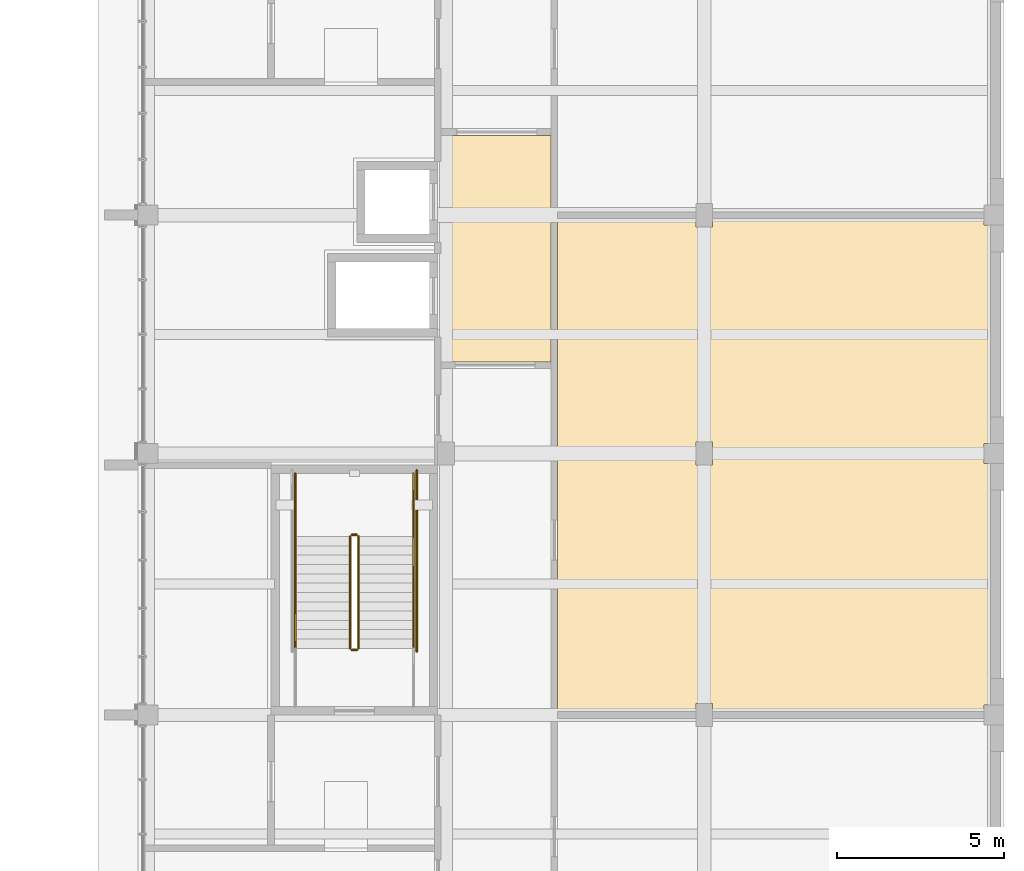
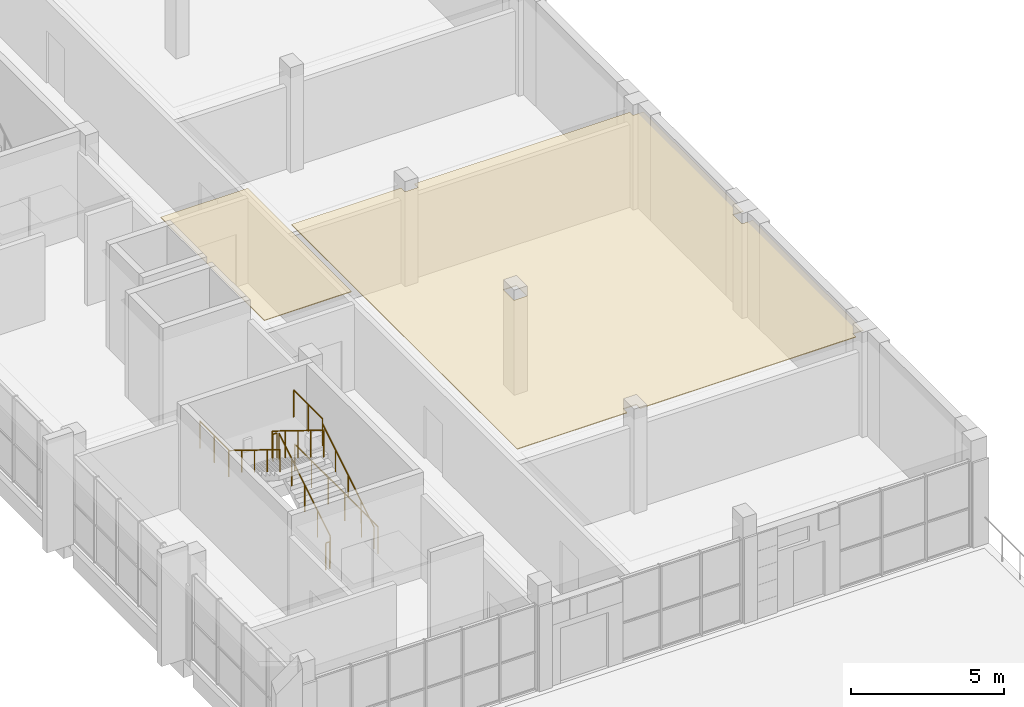
# One storey, part 39 of 42: 9 railings, 2 coverings.
"""IFC4 building model written with IfcOpenShell, lengths in metres."""

from ifc_helpers import new_model, si_unit, direction, frame, origin, origin_2d, place, context, subcontext, project, spatial, polyline, circle, outline, extrude, material, layer, layer_set, type_object, element, save


model = new_model("IFC4")

# Units and contexts
model_context = context("Model", 3, precision=1e-05, world=origin(), true_north=direction((0.0, 1.0)))
body_context = subcontext(model_context, "Body", "Model", "MODEL_VIEW")
ifc_project = project(units=[si_unit("LENGTHUNIT", "METRE"), si_unit("AREAUNIT", "SQUARE_METRE"), si_unit("VOLUMEUNIT", "CUBIC_METRE"), si_unit("PLANEANGLEUNIT", "RADIAN"), si_unit("MASSUNIT", "GRAM", prefix="KILO")], contexts=[model_context])

# Site, building, storey
site_placement = place(None, origin())
site = spatial("IfcSite", under=ifc_project, at=site_placement, CompositionType="ELEMENT")
building_placement = place(site_placement, origin())
building = spatial("IfcBuilding", under=site, at=building_placement, Name="Sun Court Science Centre", CompositionType="ELEMENT")
storey_placement = place(building_placement, frame((0.0, 0.0, 20.25)))
storey = spatial("IfcBuildingStorey", under=building, at=storey_placement, Name="L04", CompositionType="ELEMENT", Elevation=20.25)

# Coverings
ifc_material_1 = material(Name="Gypsum board")
ifc_layer = layer(ifc_material_1, 0.030029296875)
ifc_layer_set = layer_set([ifc_layer], Name="Gypsum board")
covering_type = type_object("IfcCoveringType", Name="Ceiling suspended 600 module", PredefinedType="CEILING", material=ifc_layer_set)
covering_1_placement = place(storey_placement, frame((0.0, 0.0, 3.77001953125)))
element("IfcCovering", 1, at=covering_1_placement, inside=storey, type_object=covering_type, Name="L04-008 ceiling", PredefinedType="CEILING", context=body_context, shape_type="SweptSolid", body=[
    extrude(outline(polyline([(90.39990234375, 46.60009765625), (87.10009765625, 46.60009765625), (87.10009765625, 50.08740234375), (87.1025390625, 50.08740234375), (87.1025390625, 52.71240234375), (87.10009765625, 52.71240234375), (87.10009765625, 53.39990234375), (90.39990234375, 53.39990234375), (90.39990234375, 46.60009765625)])), origin(), (0.0, 0.0, 1.0), 0.030029296875),
])
covering_2_placement = place(storey_placement, frame((0.0, 0.0, 3.77001953125)))
element("IfcCovering", 2, at=covering_2_placement, inside=storey, type_object=covering_type, Name="L04-019 ceiling", PredefinedType="CEILING", context=body_context, shape_type="SweptSolid", body=[
    extrude(outline(polyline([(95.25, 36.10009765625), (95.25, 36.35009765625), (94.75, 36.35009765625), (94.75, 36.10009765625), (90.60009765625, 36.10009765625), (90.60009765625, 50.89990234375), (94.75, 50.89990234375), (94.75, 50.64990234375), (95.25, 50.64990234375), (95.25, 50.89990234375), (103.39990234375, 50.89990234375), (103.39990234375, 50.699951171875), (103.800048828125, 50.699951171875), (103.800048828125, 44.14990234375), (103.39990234375, 44.14990234375), (103.39990234375, 43.550048828125), (103.800048828125, 43.550048828125), (103.800048828125, 36.300048828125), (103.39990234375, 36.300048828125), (103.39990234375, 36.10009765625), (95.25, 36.10009765625)]), holes=[polyline([(95.25, 44.199951171875), (94.75, 44.199951171875), (94.75, 43.5), (95.25, 43.5), (95.25, 44.199951171875)])]), origin(), (0.0, 0.0, 1.0), 0.030029296875),
])

# Railings
ifc_material_2 = material(Name="Steel S275", Category="steel")
railing_type_1 = type_object("IfcRailingType", Name="Guard 1100 steel balustrade", PredefinedType="GUARDRAIL", material=ifc_material_2)
railing_1_placement = place(storey_placement, frame((84.625, 37.998046875, 0.173095703125)))
element("IfcRailing", 3, at=railing_1_placement, inside=storey, type_object=railing_type_1, Name="L04 SL2 stair guard 1", PredefinedType="GUARDRAIL", context=body_context, shape_type="SweptSolid", body=[
    extrude(circle(Radius=0.02392578125, at=origin_2d()), frame((0.0, 0.0, 1.076171875), z_axis=(0.0, 0.850606129759, 0.525803396734), x_axis=(-1.0, 0.0, 0.0)), (0.0, 0.0, 1.0), 3.949951171875),
    extrude(circle(Radius=0.02099609375, at=origin_2d()), origin(), (0.0, 0.0, 1.0), 1.052001953125),
    extrude(circle(Radius=0.02099609375, at=origin_2d()), frame((0.0, 0.83984375, 0.519287109375)), (0.0, 0.0, 1.0), 1.052001953125),
    extrude(circle(Radius=0.02099609375, at=origin_2d()), frame((0.0, 1.679931640625, 1.03857421875)), (0.0, 0.0, 1.0), 1.052001953125),
    extrude(circle(Radius=0.02099609375, at=origin_2d()), frame((0.0, 2.52001953125, 1.5576171875)), (0.0, 0.0, 1.0), 1.052001953125),
    extrude(circle(Radius=0.02099609375, at=origin_2d()), frame((0.0, 3.35986328125, 2.076904296875)), (0.0, 0.0, 1.0), 1.052001953125),
])
railing_2_placement = place(storey_placement, frame((84.574951171875, 41.407958984375, 2.25)))
element("IfcRailing", 4, at=railing_2_placement, inside=storey, type_object=railing_type_1, Name="L04 SL2 stair guard 2", PredefinedType="GUARDRAIL", context=body_context, shape_type="SweptSolid", body=[
    extrude(circle(Radius=0.02392578125, at=origin_2d()), frame((0.0, 0.0, 1.076171875), z_axis=(-1.0, 0.0, 0.0), x_axis=(0.0, -1.0, 0.0)), (0.0, 0.0, 1.0), 0.14990234375),
    extrude(circle(Radius=0.02099609375, at=origin_2d()), origin(), (0.0, 0.0, 1.0), 1.052001953125),
    extrude(circle(Radius=0.02099609375, at=origin_2d()), frame((-0.14990234375, 0.0, 0.0)), (0.0, 0.0, 1.0), 1.052001953125),
])
for number, where, name in (
    (5, (86.27294921875, 41.35791015625, 2.25), "L04 SL2 stair guard 3"),
    (6, (82.72705078125, 41.35791015625, 2.25), "L04 SL2 stair guard 4"),
):
    element("IfcRailing", number, at=place(storey_placement, frame(where)), inside=storey, type_object=railing_type_1, Name=name, PredefinedType="GUARDRAIL", context=body_context, shape_type="SweptSolid", body=[
        extrude(circle(Radius=0.02392578125, at=origin_2d()), frame((0.0, 0.0, 1.076171875), z_axis=(0.0, 1.0, 0.0), x_axis=(-1.0, 0.0, 0.0)), (0.0, 0.0, 1.0), 1.89208984375),
        extrude(circle(Radius=0.02099609375, at=origin_2d()), origin(), (0.0, 0.0, 1.0), 1.052001953125),
        extrude(circle(Radius=0.02099609375, at=origin_2d()), frame((0.0, 0.946044921875, 0.0)), (0.0, 0.0, 1.0), 1.052001953125),
        extrude(circle(Radius=0.02099609375, at=origin_2d()), frame((0.0, 1.89208984375, 0.0)), (0.0, 0.0, 1.0), 1.052001953125),
    ])
railing_3_placement = place(storey_placement, frame((84.375, 41.35791015625, 2.423095703125)))
element("IfcRailing", 7, at=railing_3_placement, inside=storey, type_object=railing_type_1, Name="L04 SL2 stair guard 5", PredefinedType="GUARDRAIL", context=body_context, shape_type="SweptSolid", body=[
    extrude(circle(Radius=0.02392578125, at=origin_2d()), frame((0.0, 0.0, 1.076171875), z_axis=(0.0, -0.850606129759, 0.525803396734), x_axis=(1.0, 0.0, 0.0)), (0.0, 0.0, 1.0), 3.949951171875),
    extrude(circle(Radius=0.02099609375, at=origin_2d()), origin(), (0.0, 0.0, 1.0), 1.052001953125),
    extrude(circle(Radius=0.02099609375, at=origin_2d()), frame((0.0, -0.83984375, 0.519287109375)), (0.0, 0.0, 1.0), 1.052001953125),
    extrude(circle(Radius=0.02099609375, at=origin_2d()), frame((0.0, -1.679931640625, 1.03857421875)), (0.0, 0.0, 1.0), 1.052001953125),
    extrude(circle(Radius=0.02099609375, at=origin_2d()), frame((0.0, -2.52001953125, 1.5576171875)), (0.0, 0.0, 1.0), 1.052001953125),
    extrude(circle(Radius=0.02099609375, at=origin_2d()), frame((0.0, -3.35986328125, 2.076904296875)), (0.0, 0.0, 1.0), 1.052001953125),
])
railing_4_placement = place(storey_placement, frame((84.574951171875, 37.947998046875, 0.0)))
element("IfcRailing", 8, at=railing_4_placement, inside=storey, type_object=railing_type_1, Name="L04 SL2 stair guard 6", PredefinedType="GUARDRAIL", context=body_context, shape_type="SweptSolid", body=[
    extrude(circle(Radius=0.02392578125, at=origin_2d()), frame((0.0, 0.0, 1.076171875), z_axis=(-1.0, 0.0, 0.0), x_axis=(0.0, -1.0, 0.0)), (0.0, 0.0, 1.0), 0.14990234375),
    extrude(circle(Radius=0.02099609375, at=origin_2d()), origin(), (0.0, 0.0, 1.0), 1.052001953125),
    extrude(circle(Radius=0.02099609375, at=origin_2d()), frame((-0.14990234375, 0.0, 0.0)), (0.0, 0.0, 1.0), 1.052001953125),
])
railing_5_placement = place(storey_placement, frame((86.373046875, 37.89794921875, 0.0)))
element("IfcRailing", 9, at=railing_5_placement, inside=storey, type_object=railing_type_1, Name="L04 SL2 stair guard 9", PredefinedType="GUARDRAIL", context=body_context, shape_type="SweptSolid", body=[
    extrude(circle(Radius=0.02392578125, at=origin_2d()), frame((0.0, 0.0, 1.076171875), z_axis=(0.0, 1.0, 0.0), x_axis=(-1.0, 0.0, 0.0)), (0.0, 0.0, 1.0), 5.4521484375),
    extrude(circle(Radius=0.02099609375, at=origin_2d()), origin(), (0.0, 0.0, 1.0), 1.052001953125),
    extrude(circle(Radius=0.02099609375, at=origin_2d()), frame((0.0, 1.09033203125, 0.0)), (0.0, 0.0, 1.0), 1.052001953125),
    extrude(circle(Radius=0.02099609375, at=origin_2d()), frame((0.0, 2.180908203125, 0.0)), (0.0, 0.0, 1.0), 1.052001953125),
    extrude(circle(Radius=0.02099609375, at=origin_2d()), frame((0.0, 3.271240234375, 0.0)), (0.0, 0.0, 1.0), 1.052001953125),
    extrude(circle(Radius=0.02099609375, at=origin_2d()), frame((0.0, 4.36181640625, 0.0)), (0.0, 0.0, 1.0), 1.052001953125),
    extrude(circle(Radius=0.02099609375, at=origin_2d()), frame((0.0, 5.4521484375, 0.0)), (0.0, 0.0, 1.0), 1.052001953125),
])
ifc_material_3 = material(Name="Stainless steel", Category="steel")
railing_type_2 = type_object("IfcRailingType", Name="Handrail 900 stainless", PredefinedType="HANDRAIL", material=ifc_material_3)
railing_6_placement = place(storey_placement, frame((86.27294921875, 37.998046875, 0.173095703125)))
element("IfcRailing", 10, at=railing_6_placement, inside=storey, type_object=railing_type_2, Name="L04 SL2 stair handrail 1", PredefinedType="HANDRAIL", context=body_context, shape_type="SweptSolid", body=[
    extrude(circle(Radius=0.02392578125, at=origin_2d()), frame((0.0, 0.0, 0.8759765625), z_axis=(0.0, 0.850606129759, 0.525803396734), x_axis=(-1.0, 0.0, 0.0)), (0.0, 0.0, 1.0), 3.949951171875),
    extrude(circle(Radius=0.02099609375, at=origin_2d()), origin(), (0.0, 0.0, 1.0), 0.851806640625),
    extrude(circle(Radius=0.02099609375, at=origin_2d()), frame((0.0, 0.83984375, 0.519287109375)), (0.0, 0.0, 1.0), 0.851806640625),
    extrude(circle(Radius=0.02099609375, at=origin_2d()), frame((0.0, 1.679931640625, 1.03857421875)), (0.0, 0.0, 1.0), 0.851806640625),
    extrude(circle(Radius=0.02099609375, at=origin_2d()), frame((0.0, 2.52001953125, 1.5576171875)), (0.0, 0.0, 1.0), 0.851806640625),
    extrude(circle(Radius=0.02099609375, at=origin_2d()), frame((0.0, 3.35986328125, 2.076904296875)), (0.0, 0.0, 1.0), 0.851806640625),
])
railing_7_placement = place(storey_placement, frame((82.72705078125, 41.35791015625, 2.423095703125)))
element("IfcRailing", 11, at=railing_7_placement, inside=storey, type_object=railing_type_2, Name="L04 SL2 stair handrail 2", PredefinedType="HANDRAIL", context=body_context, shape_type="SweptSolid", body=[
    extrude(circle(Radius=0.02392578125, at=origin_2d()), frame((0.0, 0.0, 0.8759765625), z_axis=(0.0, -0.850606129759, 0.525803396734), x_axis=(1.0, 0.0, 0.0)), (0.0, 0.0, 1.0), 3.949951171875),
    extrude(circle(Radius=0.02099609375, at=origin_2d()), origin(), (0.0, 0.0, 1.0), 0.851806640625),
    extrude(circle(Radius=0.02099609375, at=origin_2d()), frame((0.0, -0.83984375, 0.519287109375)), (0.0, 0.0, 1.0), 0.851806640625),
    extrude(circle(Radius=0.02099609375, at=origin_2d()), frame((0.0, -1.679931640625, 1.03857421875)), (0.0, 0.0, 1.0), 0.851806640625),
    extrude(circle(Radius=0.02099609375, at=origin_2d()), frame((0.0, -2.52001953125, 1.5576171875)), (0.0, 0.0, 1.0), 0.851806640625),
    extrude(circle(Radius=0.02099609375, at=origin_2d()), frame((0.0, -3.35986328125, 2.076904296875)), (0.0, 0.0, 1.0), 0.851806640625),
])

save(model, "model.ifc")
